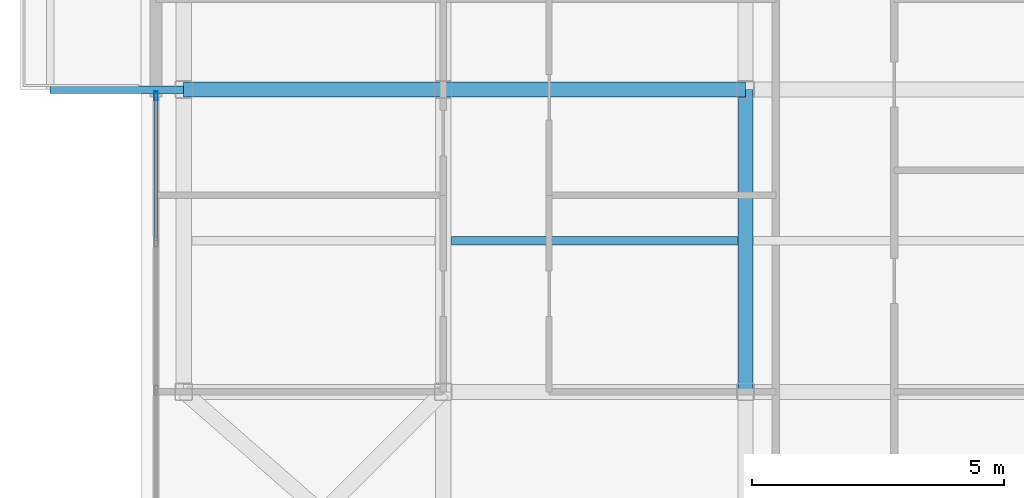
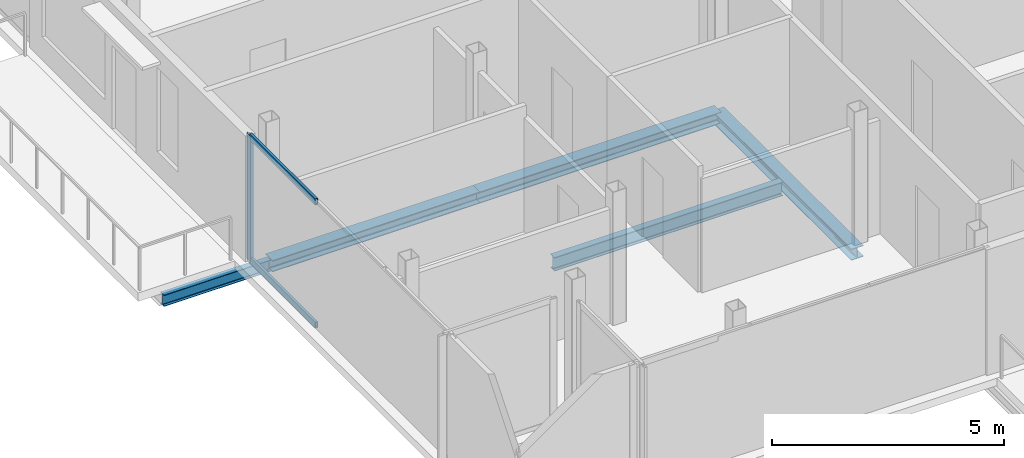
# One storey, part 3 of 18: 5 beams, 3 members, 1 element without a shape of its own.
"""IFC4 building model written with IfcOpenShell, lengths in metres."""

import ifcopenshell
import ifcopenshell.guid

model = None  # the IFC model being written
_history = None  # IfcOwnerHistory: only IFC2X3 demands one
_inside = {}  # id of a spatial element -> (the spatial element, [elements in it])
_under = {}  # id of a project, library or spatial element -> (it, [spatial elements below it])
_declared = {}  # id of a project -> (the project, [libraries it declares])
_typed = {}  # id of a type object -> (the type object, [elements of that type])
_made_of = {}  # id of a material, layer set ... -> (it, [elements and type objects made of it])


def new_model(schema):
    """Start an empty IFC model of exactly this schema.

    Asked for "IFC4X3", IfcOpenShell would pick the latest addendum, in which some entities
    have other attributes; the version numbers below select the first issue.
    IFC2X3 requires an IfcOwnerHistory on every rooted entity: one is made here for all.
    """
    global model, _history
    if schema == "IFC4X3":
        model = ifcopenshell.file(schema_version=(4, 3, 0, 0))
    else:
        model = ifcopenshell.file(schema=schema)
    _inside.clear()
    _under.clear()
    _declared.clear()
    _typed.clear()
    _made_of.clear()
    _history = None
    if model.schema == "IFC2X3":
        org = make("IfcOrganization", Name="unknown")
        user = make(
            "IfcPersonAndOrganization",
            ThePerson=make("IfcPerson", FamilyName="unknown"),
            TheOrganization=org,
        )
        app = make(
            "IfcApplication",
            ApplicationDeveloper=org,
            Version="unknown",
            ApplicationFullName="unknown",
            ApplicationIdentifier="unknown",
        )
        _history = make(
            "IfcOwnerHistory",
            OwningUser=user,
            OwningApplication=app,
            ChangeAction="ADDED",
            CreationDate=0,
        )
    return model


def make(cls, **values):
    """One entity of the class cls with the attributes given. An attribute that is None is left unset."""
    return model.create_entity(
        cls, **{name: value for name, value in values.items() if value is not None}
    )


def rooted(cls, **values):
    """An entity with a GlobalId (a new one), such as an element, a storey or a relation."""
    return make(cls, GlobalId=ifcopenshell.guid.new(), OwnerHistory=_history, **values)


def si_unit(unit_type, name, prefix=None):
    """IfcSIUnit, for example si_unit("LENGTHUNIT", "METRE", prefix="MILLI")."""
    return make("IfcSIUnit", UnitType=unit_type, Prefix=prefix, Name=name)


def assignment(units):
    """IfcUnitAssignment: the units of a project."""
    return None if units is None else make("IfcUnitAssignment", Units=units)


def point(xyz):
    """IfcCartesianPoint."""
    return None if xyz is None else make("IfcCartesianPoint", Coordinates=xyz)


def direction(xyz):
    """IfcDirection."""
    return None if xyz is None else make("IfcDirection", DirectionRatios=xyz)


def frame(location, z_axis=None, x_axis=None):
    """IfcAxis2Placement3D, a coordinate frame: its origin and axes. An axis left out is left unset."""
    return make(
        "IfcAxis2Placement3D",
        Location=point(location),
        Axis=direction(z_axis),
        RefDirection=direction(x_axis),
    )


def frame_2d(location, x_axis=None):
    """IfcAxis2Placement2D, a coordinate frame in the plane: its origin and x axis."""
    return make(
        "IfcAxis2Placement2D", Location=point(location), RefDirection=direction(x_axis)
    )


def origin():
    """The frame at (0, 0, 0) with its axes left unset."""
    return frame((0.0, 0.0, 0.0))


def origin_2d():
    """The frame at (0, 0) in the plane with its x axis left unset."""
    return frame_2d((0.0, 0.0))


def place(relative_to, where):
    """IfcLocalPlacement: puts the frame where relative to a parent placement (None: the world)."""
    return make(
        "IfcLocalPlacement", PlacementRelTo=relative_to, RelativePlacement=where
    )


def context(
    kind, dimensions, precision=None, world=None, true_north=None, identifier=None
):
    """IfcGeometricRepresentationContext, for example the 3D "Model" context."""
    return make(
        "IfcGeometricRepresentationContext",
        ContextIdentifier=identifier,
        ContextType=kind,
        CoordinateSpaceDimension=dimensions,
        Precision=precision,
        WorldCoordinateSystem=world,
        TrueNorth=true_north,
    )


def subcontext(parent, identifier, kind, view, scale=None):
    """IfcGeometricRepresentationSubContext, for example "Body" below "Model"."""
    return make(
        "IfcGeometricRepresentationSubContext",
        ContextIdentifier=identifier,
        ContextType=kind,
        ParentContext=parent,
        TargetScale=scale,
        TargetView=view,
    )


def project(units=None, contexts=None):
    """IfcProject with its units and contexts."""
    return rooted(
        "IfcProject",
        Name="project",
        RepresentationContexts=contexts,
        UnitsInContext=assignment(units),
    )


def spatial(cls, under=None, at=None, **own):
    """A site, building, storey or space (cls), placed at a placement, below another one or the project."""
    s = rooted(cls, ObjectPlacement=at, **own)
    if under is not None:
        _under.setdefault(under.id(), (under, []))[1].append(s)
    return s


def profile(cls, at=None, kind="AREA", **sizes):
    """A parametric profile (cls). Its sizes go by their IFC names, for example OverallWidth=200.0."""
    return make(cls, ProfileType=kind, Position=at, **sizes)


def hollow_rectangle(**sizes):
    """IfcRectangleHollowProfileDef."""
    return profile("IfcRectangleHollowProfileDef", **sizes)


def i_section(**sizes):
    """IfcIShapeProfileDef."""
    return profile("IfcIShapeProfileDef", **sizes)


def extrude(swept, where, along, depth):
    """IfcExtrudedAreaSolid: the profile swept, set in the frame where, extruded along a direction by depth."""
    return make(
        "IfcExtrudedAreaSolid",
        SweptArea=swept,
        Position=where,
        ExtrudedDirection=direction(along),
        Depth=depth,
    )


def shape(context_of_items, identifier, shape_type, items):
    """IfcShapeRepresentation: the items that make up one representation, for example the "Body"."""
    return make(
        "IfcShapeRepresentation",
        ContextOfItems=context_of_items,
        RepresentationIdentifier=identifier,
        RepresentationType=shape_type,
        Items=items,
    )


def material(Name=None, Category=None):
    """IfcMaterial."""
    return make("IfcMaterial", Name=Name, Category=Category)


def layer(
    of_material, thickness, ventilated=None, Name=None, Category=None, Priority=None
):
    """IfcMaterialLayer: one layer of a wall or slab, of a material (None: an air gap)."""
    return make(
        "IfcMaterialLayer",
        Material=of_material,
        LayerThickness=thickness,
        IsVentilated=ventilated,
        Name=Name,
        Category=Category,
        Priority=Priority,
    )


def layer_set(layers, Name=None):
    """IfcMaterialLayerSet."""
    return make("IfcMaterialLayerSet", MaterialLayers=layers, LayerSetName=Name)


def material_profile(
    of_material, cross_section, Name=None, Category=None, Priority=None
):
    """IfcMaterialProfile: a cross section and its material."""
    return make(
        "IfcMaterialProfile",
        Name=Name,
        Material=of_material,
        Profile=cross_section,
        Priority=Priority,
        Category=Category,
    )


def profile_set(profiles, Name=None, composite=None):
    """IfcMaterialProfileSet."""
    return make(
        "IfcMaterialProfileSet",
        Name=Name,
        MaterialProfiles=profiles,
        CompositeProfile=composite,
    )


def made_of(thing, what):
    """Note that an element or type object is made of a material, layer set ...; save() writes the relation."""
    if what is not None:
        _made_of.setdefault(what.id(), (what, []))[1].append(thing)
    return thing


def type_object(cls, material=None, **own):
    """A type object (cls), such as IfcWallType, which elements share."""
    return made_of(rooted(cls, **own), material)


def element(
    cls,
    number,
    at=None,
    inside=None,
    cuts=None,
    type_object=None,
    material=None,
    context=None,
    identifier="Body",
    shape_type=None,
    held_by="IfcProductDefinitionShape",
    body=None,
    shapes=None,
    **own,
):
    """One element of the class cls, such as IfcWall. Its Tag is "e" and its number.

    at: its placement. inside: the storey or other place that contains it. cuts: it is an
    opening in that element (IfcRelVoidsElement). A single representation is given by context,
    identifier, shape_type and body (its items); several are given by shapes. held_by: the class
    of the entity that holds the representations. save() writes the other relations.
    """
    e = rooted(cls, Tag="e%d" % number, ObjectPlacement=at, **own)
    if body is not None:
        shapes = [shape(context, identifier, shape_type, body)]
    if shapes is not None:
        e.Representation = make(held_by, Representations=shapes)
    if inside is not None:
        _inside.setdefault(inside.id(), (inside, []))[1].append(e)
    if cuts is not None:
        rooted(
            "IfcRelVoidsElement", RelatingBuildingElement=cuts, RelatedOpeningElement=e
        )
    if type_object is not None:
        _typed.setdefault(type_object.id(), (type_object, []))[1].append(e)
    return made_of(e, material)


def aggregate(whole, parts):
    """IfcRelAggregates: a whole, such as a stair, and the parts it consists of."""
    return rooted("IfcRelAggregates", RelatingObject=whole, RelatedObjects=parts)


def save(model, path):
    """Write the relations noted so far, then the file.

    IfcRelAggregates (storeys below a building ...), IfcRelContainedInSpatialStructure (elements
    in a storey), IfcRelDefinesByType, IfcRelAssociatesMaterial and IfcRelDeclares: one each for
    every whole, place, type object, material and project.
    """
    for whole, parts in _under.values():
        aggregate(whole, parts)
    for where, things in _inside.values():
        rooted(
            "IfcRelContainedInSpatialStructure",
            RelatedElements=things,
            RelatingStructure=where,
        )
    for kind, things in _typed.values():
        rooted("IfcRelDefinesByType", RelatedObjects=things, RelatingType=kind)
    for what, things in _made_of.values():
        rooted("IfcRelAssociatesMaterial", RelatedObjects=things, RelatingMaterial=what)
    for by, libraries in _declared.values():
        rooted("IfcRelDeclares", RelatingContext=by, RelatedDefinitions=libraries)
    model.write(path)


model = new_model("IFC4")

# Units and contexts
model_context = context("Model", 3, precision=1e-05, world=origin(), true_north=direction((0.0, 1.0)))
body_context = subcontext(model_context, "Body", "Model", "MODEL_VIEW")
ifc_project = project(units=[si_unit("LENGTHUNIT", "METRE"), si_unit("AREAUNIT", "SQUARE_METRE"), si_unit("VOLUMEUNIT", "CUBIC_METRE"), si_unit("PLANEANGLEUNIT", "RADIAN"), si_unit("MASSUNIT", "GRAM", prefix="KILO"), si_unit("THERMODYNAMICTEMPERATUREUNIT", "KELVIN"), si_unit("POWERUNIT", "WATT")], contexts=[model_context])

# Site, building, storey
site_placement = place(None, origin())
site = spatial("IfcSite", under=ifc_project, at=site_placement, CompositionType="ELEMENT")
building_placement = place(site_placement, origin())
building = spatial("IfcBuilding", under=site, at=building_placement, Name="Svarakhadi Broadcast Tower", CompositionType="ELEMENT")
storey_placement = place(building_placement, frame((0.0, 0.0, 267.699951171875)))
storey = spatial("IfcBuildingStorey", under=building, at=storey_placement, Name="L67", CompositionType="ELEMENT", Elevation=267.699951171875)

# Beam
ifc_material_1 = material(Name="Steel S355J2 (IS 2062 E350C)", Category="steel")
ifc_material_profile_1 = material_profile(ifc_material_1, i_section(OverallWidth=0.169921875, OverallDepth=0.360107421875, WebThickness=0.008056640625, FlangeThickness=0.0126953125, FilletRadius=0.01806640625, at=origin_2d()), Name="NPB 360x170x57")
ifc_profile_set_1 = profile_set([ifc_material_profile_1], Name="Steel S355J2 (IS 2062 E350C)")
beam_type_1 = type_object("IfcBeamType", Name="Beam_NPB360", PredefinedType="BEAM", material=ifc_profile_set_1)
beam_1_placement = place(storey_placement, frame((6.159912109375, 9.0, -0.3798828125), z_axis=(1.0, 0.0, 0.0), x_axis=(0.0, 1.0, 0.0)))
element("IfcBeam", 1, at=beam_1_placement, inside=storey, type_object=beam_type_1, Name="L67 Secondary Composite Beam SB005", PredefinedType="BEAM", context=body_context, shape_type="SweptSolid", body=[
    extrude(i_section(OverallWidth=0.169921875, OverallDepth=0.360107421875, WebThickness=0.008056640625, FlangeThickness=0.0126953125, FilletRadius=0.01806640625, at=origin_2d()), origin(), (0.0, 0.0, 1.0), 5.68017578125),
])

# Curtain wall, members
ifc_material_2 = material(Name="Anodised Bronze Aluminium AA 6063-T6", Category="aluminium")
ifc_layer = layer(ifc_material_2, 0.179931640625)
ifc_layer_set = layer_set([ifc_layer], Name="Anodised Bronze Aluminium AA 6063-T6")
curtain_wall_type = type_object("IfcCurtainWallType", Name="CW_Sys_05", PredefinedType="NOTDEFINED", material=ifc_layer_set)
curtain_wall_placement = place(storey_placement, origin())
curtain_wall = element("IfcCurtainWall", 2, at=curtain_wall_placement, inside=storey, type_object=curtain_wall_type, Name="L67 West Curtain Wall 02", PredefinedType="NOTDEFINED")
ifc_material_profile_2 = material_profile(ifc_material_2, hollow_rectangle(XDim=0.070068359375, YDim=0.179931640625, WallThickness=0.005615234375, at=origin_2d()), Name="ALU MULLION 180x70x6")
ifc_profile_set_2 = profile_set([ifc_material_profile_2], Name="Anodised Bronze Aluminium AA 6063-T6")
member_type_1 = type_object("IfcMemberType", Name="CW_Sys_05_Mul", PredefinedType="MULLION", material=ifc_profile_set_2)
member_1_placement = place(storey_placement, frame((0.300048828125, 11.875, 0.0), z_axis=(0.0, 0.0, 1.0), x_axis=(-1.0, 0.0, 0.0)))
member_1 = element("IfcMember", 3, at=member_1_placement, type_object=member_type_1, Name="CW-05 mullion 4", PredefinedType="MULLION", context=body_context, shape_type="SweptSolid", body=[
    extrude(hollow_rectangle(XDim=0.070068359375, YDim=0.179931640625, WallThickness=0.005615234375, at=origin_2d()), origin(), (0.0, 0.0, 1.0), 3.300048828125),
])
ifc_material_profile_3 = material_profile(ifc_material_2, hollow_rectangle(XDim=0.06494140625, YDim=0.1650390625, WallThickness=0.0048828125, at=origin_2d()), Name="ALU TRANSOM 165x65x5")
ifc_profile_set_3 = profile_set([ifc_material_profile_3], Name="Anodised Bronze Aluminium AA 6063-T6")
member_type_2 = type_object("IfcMemberType", Name="CW_Sys_05_Trn", PredefinedType="USERDEFINED", material=ifc_profile_set_3)
member_2_placement = place(storey_placement, frame((0.300048828125, 9.0048828125, 0.032470703125), z_axis=(0.0, 1.0, 0.0), x_axis=(-1.0, 0.0, 0.0)))
member_2 = element("IfcMember", 4, at=member_2_placement, type_object=member_type_2, Name="CW-05 transom 3.1", ObjectType="TRANSOM", PredefinedType="USERDEFINED", context=body_context, shape_type="SweptSolid", body=[
    extrude(hollow_rectangle(XDim=0.06494140625, YDim=0.1650390625, WallThickness=0.0048828125, at=origin_2d()), origin(), (0.0, 0.0, 1.0), 2.835205078125),
])
member_3_placement = place(storey_placement, frame((0.300048828125, 9.0048828125, 3.267578125), z_axis=(0.0, 1.0, 0.0), x_axis=(-1.0, 0.0, 0.0)))
member_3 = element("IfcMember", 5, at=member_3_placement, type_object=member_type_2, Name="CW-05 transom 3.2", ObjectType="TRANSOM", PredefinedType="USERDEFINED", context=body_context, shape_type="SweptSolid", body=[
    extrude(hollow_rectangle(XDim=0.06494140625, YDim=0.1650390625, WallThickness=0.0048828125, at=origin_2d()), origin(), (0.0, 0.0, 1.0), 2.835205078125),
])
aggregate(curtain_wall, [member_1, member_2, member_3])

# Beams
ifc_material_profile_4 = material_profile(ifc_material_1, i_section(OverallWidth=0.300048828125, OverallDepth=0.300048828125, WebThickness=0.010986328125, FlangeThickness=0.01904296875, FilletRadius=0.027099609375, at=origin_2d()), Name="WPB 300x300x117")
ifc_profile_set_4 = profile_set([ifc_material_profile_4], Name="Steel S355J2 (IS 2062 E350C)")
beam_type_2 = type_object("IfcBeamType", Name="Girder_WPB300", PredefinedType="USERDEFINED", material=ifc_profile_set_4)
beam_2_placement = place(storey_placement, frame((0.85009765625, 12.0, -0.349853515625), z_axis=(1.0, 0.0, 0.0), x_axis=(0.0, 1.0, 0.0)))
element("IfcBeam", 6, at=beam_2_placement, inside=storey, type_object=beam_type_2, Name="L67 Primary E-W Girder G013", ObjectType="GIRDER", PredefinedType="USERDEFINED", context=body_context, shape_type="SweptSolid", body=[
    extrude(i_section(OverallWidth=0.300048828125, OverallDepth=0.300048828125, WebThickness=0.010986328125, FlangeThickness=0.01904296875, FilletRadius=0.027099609375, at=origin_2d()), origin(), (0.0, 0.0, 1.0), 5.14990234375),
])
for number, where, z_axis, x_axis, name in (
    (7, (6.0, 12.0, -0.349853515625), (1.0, 0.0, 0.0), (0.0, 1.0, 0.0), "L67 Primary E-W Girder G014"),
    (8, (12.0, 6.0, -0.349853515625), (0.0, 1.0, 0.0), (-1.0, 0.0, 0.0), "L67 Primary N-S Girder G034"),
):
    element("IfcBeam", number, at=place(storey_placement, frame(where, z_axis=z_axis, x_axis=x_axis)), inside=storey, type_object=beam_type_2, Name=name, ObjectType="GIRDER", PredefinedType="USERDEFINED", context=body_context, shape_type="SweptSolid", body=[
        extrude(i_section(OverallWidth=0.300048828125, OverallDepth=0.300048828125, WebThickness=0.010986328125, FlangeThickness=0.01904296875, FilletRadius=0.027099609375, at=origin_2d()), origin(), (0.0, 0.0, 1.0), 6.0),
    ])
ifc_material_profile_5 = material_profile(ifc_material_1, i_section(OverallWidth=0.14990234375, OverallDepth=0.300048828125, WebThickness=0.007080078125, FlangeThickness=0.0107421875, FilletRadius=0.014892578125, at=origin_2d()), Name="NPB 300x150x37")
ifc_profile_set_5 = profile_set([ifc_material_profile_5], Name="Steel S355J2 (IS 2062 E350C)")
beam_type_3 = type_object("IfcBeamType", Name="Spandrel_NPB300", PredefinedType="SPANDREL", material=ifc_profile_set_5)
beam_3_placement = place(storey_placement, frame((0.85009765625, 12.0, -0.375), z_axis=(-1.0, 0.0, 0.0), x_axis=(0.0, -1.0, 0.0)))
element("IfcBeam", 9, at=beam_3_placement, inside=storey, type_object=beam_type_3, Name="L67 Balcony Cantilever Bracket 2A", PredefinedType="SPANDREL", context=body_context, shape_type="SweptSolid", body=[
    extrude(i_section(OverallWidth=0.14990234375, OverallDepth=0.300048828125, WebThickness=0.007080078125, FlangeThickness=0.0107421875, FilletRadius=0.014892578125, at=origin_2d()), origin(), (0.0, 0.0, 1.0), 2.650146484375),
])

save(model, "model.ifc")
